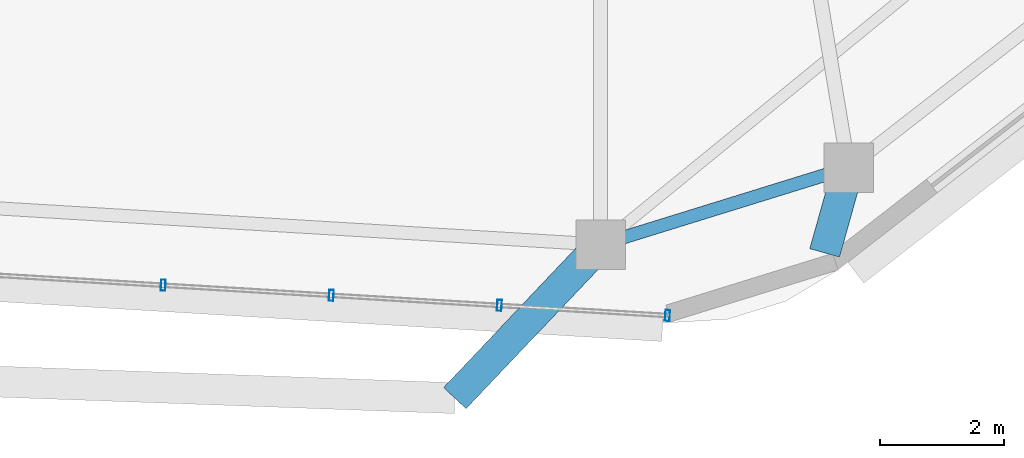
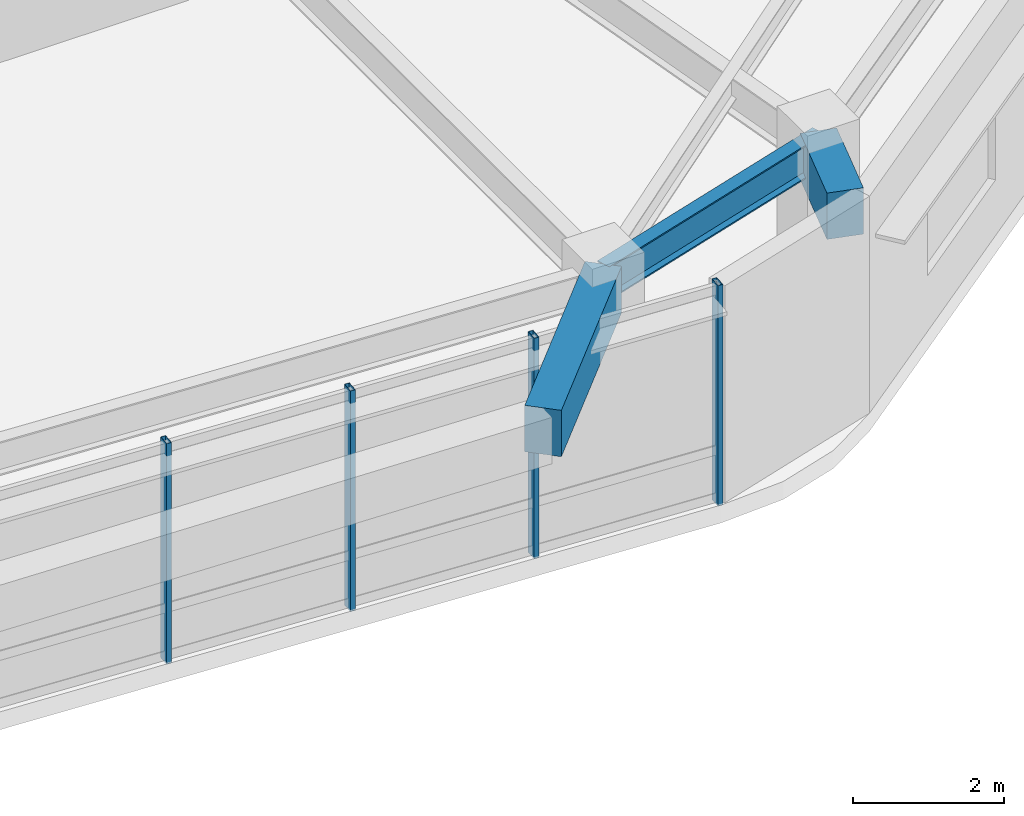
# One storey, part 4 of 12: 4 members, 3 beams, 1 element without a shape of its own.
"""IFC4 building model written with IfcOpenShell, lengths in metres."""

from ifc_helpers import new_model, si_unit, direction, frame, origin, origin_2d, place, context, subcontext, project, spatial, rectangle, hollow_rectangle, i_section, extrude, material, material_profile, profile_set, type_object, element, aggregate, save


model = new_model("IFC4")

# Units and contexts
model_context = context("Model", 3, precision=1e-05, world=origin(), true_north=direction((0.0, 1.0)))
body_context = subcontext(model_context, "Body", "Model", "MODEL_VIEW")
ifc_project = project(units=[si_unit("LENGTHUNIT", "METRE"), si_unit("AREAUNIT", "SQUARE_METRE"), si_unit("VOLUMEUNIT", "CUBIC_METRE"), si_unit("PLANEANGLEUNIT", "RADIAN"), si_unit("MASSUNIT", "GRAM", prefix="KILO")], contexts=[model_context])

# Site, building, storey
site_placement = place(None, origin())
site = spatial("IfcSite", under=ifc_project, at=site_placement, CompositionType="ELEMENT")
building_placement = place(site_placement, origin())
building = spatial("IfcBuilding", under=site, at=building_placement, Name="Zulverin Broadcast Headquarters", CompositionType="ELEMENT")
storey_placement = place(building_placement, frame((0.0, 0.0, 255.39990234375)))
storey = spatial("IfcBuildingStorey", under=building, at=storey_placement, Name="L65", CompositionType="ELEMENT", Elevation=255.39990234375)

# Beams
ifc_material_1 = material(Name="Concrete C40/50", Category="concrete")
ifc_material_profile_1 = material_profile(ifc_material_1, rectangle(XDim=0.5, YDim=0.75, at=origin_2d()), Name="Concrete C40/50", Category="concrete")
ifc_profile_set_1 = profile_set([ifc_material_profile_1], Name="Concrete C40/50")
beam_type_1 = type_object("IfcBeamType", Name="BM-RC-500x750", PredefinedType="BEAM", material=ifc_profile_set_1)
beam_1_placement = place(storey_placement, frame((50.361083984375, 4.001708984375, 3.135009765625), z_axis=(-0.269914876125, -0.962884188076, 0.0), x_axis=(0.962884188076, -0.269914876125, 0.0)))
element("IfcBeam", 1, at=beam_1_placement, inside=storey, type_object=beam_type_1, Name="L66 Plate Overhang Back-Spanned Beam OVR-03", PredefinedType="BEAM", context=body_context, shape_type="SweptSolid", body=[
    extrude(rectangle(XDim=0.5, YDim=0.75, at=origin_2d()), origin(), (0.0, 0.0, 1.0), 1.429931640625),
])
beam_2_placement = place(storey_placement, frame((46.3515625, 2.759521484375, 3.135009765625), z_axis=(-0.688246957327, -0.725476481858, 0.0), x_axis=(0.725476481858, -0.688246957327, 0.0)))
element("IfcBeam", 2, at=beam_2_placement, inside=storey, type_object=beam_type_1, Name="L66 Balcony Column-Framed Cantilever BAL_S-2", PredefinedType="BEAM", context=body_context, shape_type="SweptSolid", body=[
    extrude(rectangle(XDim=0.5, YDim=0.75, at=origin_2d()), origin(), (0.0, 0.0, 1.0), 3.423095703125),
])
ifc_material_2 = material(Name="Structural steel S355JR", Category="steel")
ifc_material_profile_2 = material_profile(ifc_material_2, i_section(OverallWidth=0.2119140625, OverallDepth=0.54443359375, WebThickness=0.0126953125, FlangeThickness=0.021240234375, at=origin_2d()), Name="Structural steel S355JR", Category="steel")
ifc_profile_set_2 = profile_set([ifc_material_profile_2], Name="Structural steel S355JR")
beam_type_2 = type_object("IfcBeamType", Name="BM-UB-533", PredefinedType="SPANDREL", material=ifc_profile_set_2)
beam_3_placement = place(storey_placement, frame((46.3515625, 2.759521484375, 3.23779296875), z_axis=(0.955208799219, 0.295932677978, 0.0), x_axis=(-0.295932677978, 0.955208799219, 0.0)))
element("IfcBeam", 3, at=beam_3_placement, inside=storey, type_object=beam_type_2, Name="L65 Perimeter Spandrel Beam SP-02", PredefinedType="SPANDREL", context=body_context, shape_type="SweptSolid", body=[
    extrude(i_section(OverallWidth=0.2119140625, OverallDepth=0.54443359375, WebThickness=0.0126953125, FlangeThickness=0.021240234375, at=origin_2d()), origin(), (0.0, 0.0, 1.0), 4.197509765625),
])

# Curtain wall, members
ifc_material_3 = material(Name="High-zone solar-control unitised curtain wall", Category="aluminium")
curtain_wall_type = type_object("IfcCurtainWallType", Name="CW-TWR-UPP", PredefinedType="USERDEFINED", material=ifc_material_3)
curtain_wall_placement = place(storey_placement, origin())
curtain_wall = element("IfcCurtainWall", 4, at=curtain_wall_placement, inside=storey, type_object=curtain_wall_type, Name="L65 Unitised Curtain Wall CW-L65-E1", ObjectType="UNITISED CURTAIN WALL", PredefinedType="USERDEFINED")
ifc_material_4 = material(Name="Anodized pale-metal aluminium alloy 6063-T6", Category="aluminium")
ifc_material_profile_3 = material_profile(ifc_material_4, hollow_rectangle(XDim=0.074951171875, YDim=0.179931640625, WallThickness=0.0048828125, at=origin_2d()), Name="Anodized pale-metal aluminium alloy 6063-T6", Category="aluminium")
ifc_profile_set_3 = profile_set([ifc_material_profile_3], Name="Anodized pale-metal aluminium alloy 6063-T6")
member_type = type_object("IfcMemberType", Name="CW-MUL-180", PredefinedType="MULLION", material=ifc_profile_set_3)
member_1_placement = place(storey_placement, frame((39.281005859375, 2.101806640625, -0.02978515625), z_axis=(0.0, 0.0, 1.0), x_axis=(0.998202681386, -0.059928347834, 0.0)))
member_1 = element("IfcMember", 5, at=member_1_placement, type_object=member_type, Name="CW-L65-E1 Mullion 04", PredefinedType="MULLION", context=body_context, shape_type="SweptSolid", body=[
    extrude(hollow_rectangle(XDim=0.074951171875, YDim=0.179931640625, WallThickness=0.0048828125, at=origin_2d()), origin(), (0.0, 0.0, 1.0), 3.56982421875),
])
member_2_placement = place(storey_placement, frame((41.9990234375, 1.938720703125, -0.02978515625), z_axis=(0.0, 0.0, 1.0), x_axis=(0.998202681386, -0.059928347834, 0.0)))
member_2 = element("IfcMember", 6, at=member_2_placement, type_object=member_type, Name="CW-L65-E1 Mullion 05", PredefinedType="MULLION", context=body_context, shape_type="SweptSolid", body=[
    extrude(hollow_rectangle(XDim=0.074951171875, YDim=0.179931640625, WallThickness=0.0048828125, at=origin_2d()), origin(), (0.0, 0.0, 1.0), 3.56982421875),
])
member_3_placement = place(storey_placement, frame((44.716796875, 1.775634765625, -0.02978515625), z_axis=(0.0, 0.0, 1.0), x_axis=(0.998202681386, -0.059928347834, 0.0)))
member_3 = element("IfcMember", 7, at=member_3_placement, type_object=member_type, Name="CW-L65-E1 Mullion 06", PredefinedType="MULLION", context=body_context, shape_type="SweptSolid", body=[
    extrude(hollow_rectangle(XDim=0.074951171875, YDim=0.179931640625, WallThickness=0.0048828125, at=origin_2d()), origin(), (0.0, 0.0, 1.0), 3.56982421875),
])
member_4_placement = place(storey_placement, frame((47.434814453125, 1.6123046875, -0.02978515625), z_axis=(0.0, 0.0, 1.0), x_axis=(0.998202681386, -0.059928347834, 0.0)))
member_4 = element("IfcMember", 8, at=member_4_placement, type_object=member_type, Name="CW-L65-E1 Mullion 07", PredefinedType="MULLION", context=body_context, shape_type="SweptSolid", body=[
    extrude(hollow_rectangle(XDim=0.074951171875, YDim=0.179931640625, WallThickness=0.0048828125, at=origin_2d()), origin(), (0.0, 0.0, 1.0), 3.56982421875),
])
aggregate(curtain_wall, [member_1, member_2, member_3, member_4])

save(model, "model.ifc")
